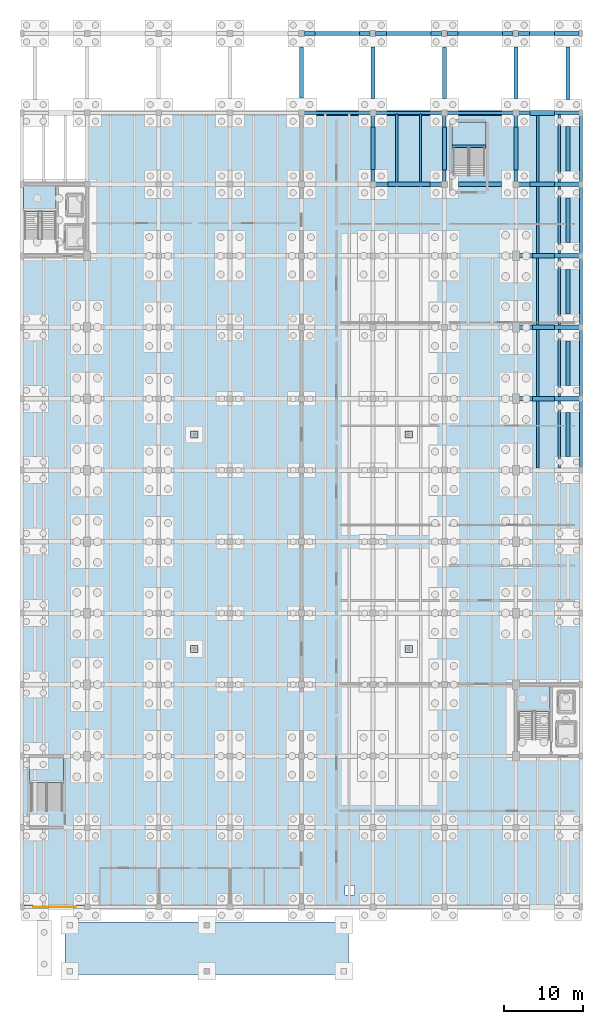
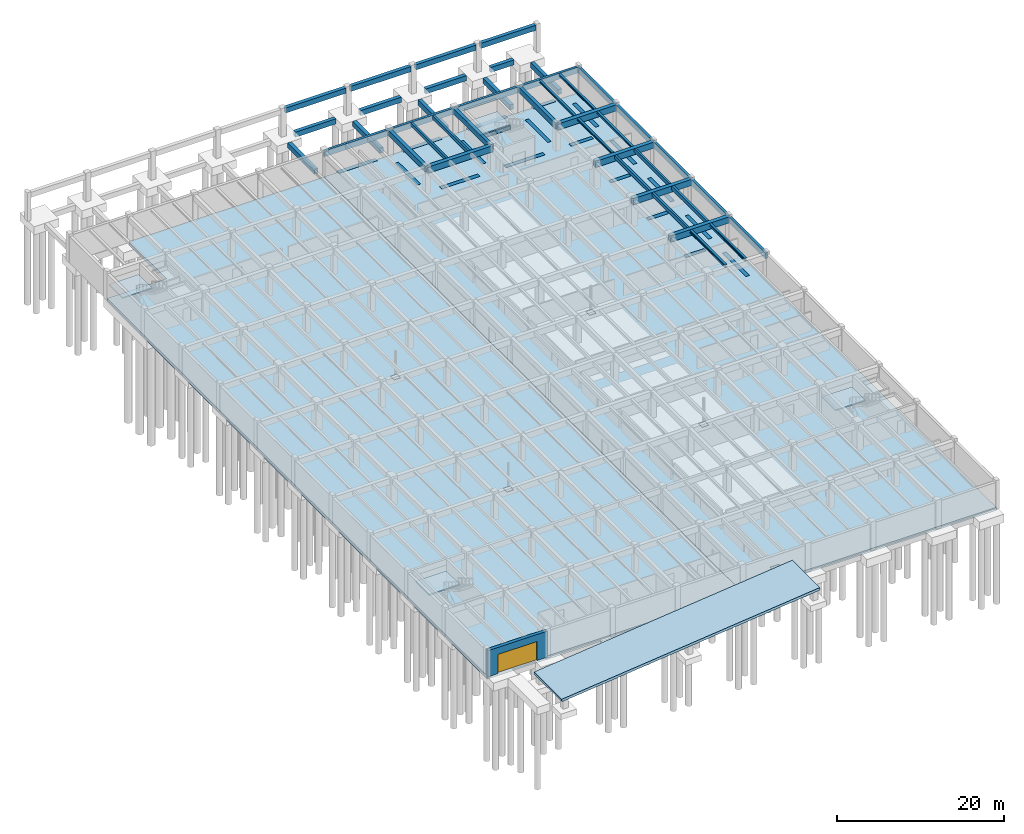
# One storey, part 16 of 23: 61 beams, 7 slabs, 4 plates, 1 door, 1 wall, 1 opening, 4 elements without a shape of their own.
"""IFC4 building model written with IfcOpenShell, lengths in metres."""

from ifc_helpers import new_model, si_unit, direction, frame, frame_2d, origin, origin_2d, place, context, subcontext, project, spatial, polyline, rectangle, i_section, outline, extrude, material, layer, layer_set, material_profile, profile_set, type_object, element, fill, aggregate, save


model = new_model("IFC4")

# Units and contexts
model_context = context("Model", 3, precision=1e-05, world=origin(), true_north=direction((0.0, 1.0)))
body_context = subcontext(model_context, "Body", "Model", "MODEL_VIEW")
ifc_project = project(units=[si_unit("LENGTHUNIT", "METRE"), si_unit("AREAUNIT", "SQUARE_METRE"), si_unit("VOLUMEUNIT", "CUBIC_METRE"), si_unit("PLANEANGLEUNIT", "RADIAN"), si_unit("MASSUNIT", "GRAM", prefix="KILO")], contexts=[model_context])

# Site, building, storey
site_placement = place(None, origin())
site = spatial("IfcSite", under=ifc_project, at=site_placement, CompositionType="ELEMENT")
building_placement = place(site_placement, origin())
building = spatial("IfcBuilding", under=site, at=building_placement, Name="Ornek Quay Market", CompositionType="ELEMENT")
storey_placement = place(building_placement, frame((0.0, 0.0, -4.199951171875)))
storey = spatial("IfcBuildingStorey", under=building, at=storey_placement, Name="B1", CompositionType="ELEMENT", Elevation=-4.199951171875)

# Beams
ifc_material_1 = material(Name="Concrete C35/45", Category="concrete")
ifc_material_profile_1 = material_profile(ifc_material_1, rectangle(XDim=0.449951171875, YDim=0.800048828125, at=origin_2d()), Name="RC 450x800", Category="concrete")
ifc_profile_set_1 = profile_set([ifc_material_profile_1], Name="Concrete C35/45")
beam_type_1 = type_object("IfcBeamType", Name="BM-B1-450x800", PredefinedType="BEAM", material=ifc_profile_set_1)
for number, where, z_axis, x_axis, name in (
    (1, (99.0, 101.0, 3.4599609375), (0.0, 1.0, 0.0), (-1.0, 0.0, 0.0), "Primary beam B-B1B-059"),
    (2, (108.0, 101.0, 3.4599609375), (0.0, 1.0, 0.0), (-1.0, 0.0, 0.0), "Primary beam B-B1B-068"),
    (3, (117.0, 101.0, 3.4599609375), (0.0, 1.0, 0.0), (-1.0, 0.0, 0.0), "Primary beam B-B1B-077"),
):
    element("IfcBeam", number, at=place(storey_placement, frame(where, z_axis=z_axis, x_axis=x_axis)), inside=storey, type_object=beam_type_1, Name=name, PredefinedType="BEAM", context=body_context, shape_type="SweptSolid", body=[
        extrude(rectangle(XDim=0.449951171875, YDim=0.800048828125, at=origin_2d()), origin(), (0.0, 0.0, 1.0), 9.0),
    ])
ifc_material_2 = material(Name="Concrete C40/50", Category="concrete")
ifc_material_profile_2 = material_profile(ifc_material_2, rectangle(XDim=0.550048828125, YDim=0.89990234375, at=origin_2d()), Name="RC 550x900", Category="concrete")
ifc_profile_set_2 = profile_set([ifc_material_profile_2], Name="Concrete C40/50")
beam_type_2 = type_object("IfcBeamType", Name="BM-B1-550x900", PredefinedType="BEAM", material=ifc_profile_set_2)
for number, where, z_axis, x_axis, name in (
    (4, (117.0, 74.0, 3.409912109375), (1.0, 0.0, 0.0), (0.0, 1.0, 0.0), "Primary beam B-B1A-048"),
    (5, (117.0, 83.0, 3.409912109375), (1.0, 0.0, 0.0), (0.0, 1.0, 0.0), "Primary beam B-B1A-056"),
    (6, (117.0, 92.0, 3.409912109375), (1.0, 0.0, 0.0), (0.0, 1.0, 0.0), "Primary beam B-B1A-064"),
):
    element("IfcBeam", number, at=place(storey_placement, frame(where, z_axis=z_axis, x_axis=x_axis)), inside=storey, type_object=beam_type_2, Name=name, PredefinedType="BEAM", context=body_context, shape_type="SweptSolid", body=[
        extrude(rectangle(XDim=0.550048828125, YDim=0.89990234375, at=origin_2d()), origin(), (0.0, 0.0, 1.0), 8.199951171875),
    ])
beam_1_placement = place(storey_placement, frame((99.0, 101.0, 3.409912109375), z_axis=(1.0, 0.0, 0.0), x_axis=(0.0, 1.0, 0.0)))
element("IfcBeam", 7, at=beam_1_placement, inside=storey, type_object=beam_type_2, Name="Primary beam B-B1A-070", PredefinedType="BEAM", context=body_context, shape_type="SweptSolid", body=[
    extrude(rectangle(XDim=0.550048828125, YDim=0.89990234375, at=origin_2d()), origin(), (0.0, 0.0, 1.0), 9.0),
])
beam_2_placement = place(storey_placement, frame((117.0, 101.0, 3.409912109375), z_axis=(1.0, 0.0, 0.0), x_axis=(0.0, 1.0, 0.0)))
element("IfcBeam", 8, at=beam_2_placement, inside=storey, type_object=beam_type_2, Name="Primary beam B-B1A-071", PredefinedType="BEAM", context=body_context, shape_type="SweptSolid", body=[
    extrude(rectangle(XDim=0.550048828125, YDim=0.89990234375, at=origin_2d()), origin(), (0.0, 0.0, 1.0), 8.199951171875),
])
ifc_material_profile_3 = material_profile(ifc_material_1, rectangle(XDim=0.5, YDim=0.75, at=origin_2d()), Name="RC 500x750", Category="concrete")
ifc_profile_set_3 = profile_set([ifc_material_profile_3], Name="Concrete C35/45")
beam_type_3 = type_object("IfcBeamType", Name="BM-GB-500x750", PredefinedType="BEAM", material=ifc_profile_set_3)
for number, where, z_axis, x_axis, name in (
    (9, (91.699951171875, 120.0, -0.375), (1.0, 0.0, 0.0), (0.0, 1.0, 0.0), "Ground tie beam GB-206"),
    (10, (100.699951171875, 120.0, -0.375), (1.0, 0.0, 0.0), (0.0, 1.0, 0.0), "Ground tie beam GB-207"),
    (11, (109.699951171875, 120.0, -0.375), (1.0, 0.0, 0.0), (0.0, 1.0, 0.0), "Ground tie beam GB-208"),
):
    element("IfcBeam", number, at=place(storey_placement, frame(where, z_axis=z_axis, x_axis=x_axis)), inside=storey, type_object=beam_type_3, Name=name, PredefinedType="BEAM", context=body_context, shape_type="SweptSolid", body=[
        extrude(rectangle(XDim=0.5, YDim=0.75, at=origin_2d()), origin(), (0.0, 0.0, 1.0), 5.60009765625),
    ])
beam_3_placement = place(storey_placement, frame((118.699951171875, 120.0, -0.375), z_axis=(1.0, 0.0, 0.0), x_axis=(0.0, 1.0, 0.0)))
element("IfcBeam", 12, at=beam_3_placement, inside=storey, type_object=beam_type_3, Name="Ground tie beam GB-209", PredefinedType="BEAM", context=body_context, shape_type="SweptSolid", body=[
    extrude(rectangle(XDim=0.5, YDim=0.75, at=origin_2d()), origin(), (0.0, 0.0, 1.0), 3.179931640625),
])
beam_4_placement = place(storey_placement, frame((90.0, 111.89990234375, -0.375), z_axis=(0.0, 1.0, 0.0), x_axis=(-1.0, 0.0, 0.0)))
element("IfcBeam", 13, at=beam_4_placement, inside=storey, type_object=beam_type_3, Name="Ground tie beam GB-263", PredefinedType="BEAM", context=body_context, shape_type="SweptSolid", body=[
    extrude(rectangle(XDim=0.5, YDim=0.75, at=origin_2d()), origin(), (0.0, 0.0, 1.0), 6.400146484375),
])
beam_5_placement = place(storey_placement, frame((99.0, 102.89990234375, -0.375), z_axis=(0.0, 1.0, 0.0), x_axis=(-1.0, 0.0, 0.0)))
element("IfcBeam", 14, at=beam_5_placement, inside=storey, type_object=beam_type_3, Name="Ground tie beam GB-274", PredefinedType="BEAM", context=body_context, shape_type="SweptSolid", body=[
    extrude(rectangle(XDim=0.5, YDim=0.75, at=origin_2d()), origin(), (0.0, 0.0, 1.0), 5.300048828125),
])
beam_6_placement = place(storey_placement, frame((99.0, 111.800048828125, -0.375), z_axis=(0.0, 1.0, 0.0), x_axis=(-1.0, 0.0, 0.0)))
element("IfcBeam", 15, at=beam_6_placement, inside=storey, type_object=beam_type_3, Name="Ground tie beam GB-275", PredefinedType="BEAM", context=body_context, shape_type="SweptSolid", body=[
    extrude(rectangle(XDim=0.5, YDim=0.75, at=origin_2d()), origin(), (0.0, 0.0, 1.0), 6.5),
])
beam_7_placement = place(storey_placement, frame((108.0, 102.800048828125, -0.375), z_axis=(0.0, 1.0, 0.0), x_axis=(-1.0, 0.0, 0.0)))
element("IfcBeam", 16, at=beam_7_placement, inside=storey, type_object=beam_type_3, Name="Ground tie beam GB-286", PredefinedType="BEAM", context=body_context, shape_type="SweptSolid", body=[
    extrude(rectangle(XDim=0.5, YDim=0.75, at=origin_2d()), origin(), (0.0, 0.0, 1.0), 5.39990234375),
])
beam_8_placement = place(storey_placement, frame((108.0, 111.800048828125, -0.375), z_axis=(0.0, 1.0, 0.0), x_axis=(-1.0, 0.0, 0.0)))
element("IfcBeam", 17, at=beam_8_placement, inside=storey, type_object=beam_type_3, Name="Ground tie beam GB-287", PredefinedType="BEAM", context=body_context, shape_type="SweptSolid", body=[
    extrude(rectangle(XDim=0.5, YDim=0.75, at=origin_2d()), origin(), (0.0, 0.0, 1.0), 6.5),
])
beam_9_placement = place(storey_placement, frame((117.0, 102.800048828125, -0.375), z_axis=(0.0, 1.0, 0.0), x_axis=(-1.0, 0.0, 0.0)))
element("IfcBeam", 18, at=beam_9_placement, inside=storey, type_object=beam_type_3, Name="Ground tie beam GB-295", PredefinedType="BEAM", context=body_context, shape_type="SweptSolid", body=[
    extrude(rectangle(XDim=0.5, YDim=0.75, at=origin_2d()), origin(), (0.0, 0.0, 1.0), 5.39990234375),
])
beam_10_placement = place(storey_placement, frame((117.0, 111.800048828125, -0.375), z_axis=(0.0, 1.0, 0.0), x_axis=(-1.0, 0.0, 0.0)))
element("IfcBeam", 19, at=beam_10_placement, inside=storey, type_object=beam_type_3, Name="Ground tie beam GB-296", PredefinedType="BEAM", context=body_context, shape_type="SweptSolid", body=[
    extrude(rectangle(XDim=0.5, YDim=0.75, at=origin_2d()), origin(), (0.0, 0.0, 1.0), 6.5),
])
for number, where, z_axis, x_axis, name in (
    (20, (123.580078125, 66.699951171875, -0.375), (0.0, 1.0, 0.0), (-1.0, 0.0, 0.0), "Ground tie beam GB-300"),
    (21, (123.580078125, 75.699951171875, -0.375), (0.0, 1.0, 0.0), (-1.0, 0.0, 0.0), "Ground tie beam GB-301"),
    (22, (123.580078125, 84.699951171875, -0.375), (0.0, 1.0, 0.0), (-1.0, 0.0, 0.0), "Ground tie beam GB-302"),
    (23, (123.580078125, 93.699951171875, -0.375), (0.0, 1.0, 0.0), (-1.0, 0.0, 0.0), "Ground tie beam GB-303"),
    (24, (123.580078125, 102.699951171875, -0.375), (0.0, 1.0, 0.0), (-1.0, 0.0, 0.0), "Ground tie beam GB-304"),
):
    element("IfcBeam", number, at=place(storey_placement, frame(where, z_axis=z_axis, x_axis=x_axis)), inside=storey, type_object=beam_type_3, Name=name, PredefinedType="BEAM", context=body_context, shape_type="SweptSolid", body=[
        extrude(rectangle(XDim=0.5, YDim=0.75, at=origin_2d()), origin(), (0.0, 0.0, 1.0), 5.60009765625),
    ])
beam_11_placement = place(storey_placement, frame((123.580078125, 111.699951171875, -0.375), z_axis=(0.0, 1.0, 0.0), x_axis=(-1.0, 0.0, 0.0)))
element("IfcBeam", 25, at=beam_11_placement, inside=storey, type_object=beam_type_3, Name="Ground tie beam GB-305", PredefinedType="BEAM", context=body_context, shape_type="SweptSolid", body=[
    extrude(rectangle(XDim=0.5, YDim=0.75, at=origin_2d()), origin(), (0.0, 0.0, 1.0), 6.60009765625),
])
for number, where, z_axis, x_axis, name in (
    (26, (90.35009765625, 120.0, 3.625), (1.0, 0.0, 0.0), (0.0, 1.0, 0.0), "Quay edge grade beam GB-430"),
    (27, (99.35009765625, 120.0, 3.625), (1.0, 0.0, 0.0), (0.0, 1.0, 0.0), "Quay edge grade beam GB-431"),
    (28, (108.35009765625, 120.0, 3.625), (1.0, 0.0, 0.0), (0.0, 1.0, 0.0), "Quay edge grade beam GB-432"),
):
    element("IfcBeam", number, at=place(storey_placement, frame(where, z_axis=z_axis, x_axis=x_axis)), inside=storey, type_object=beam_type_3, Name=name, PredefinedType="BEAM", context=body_context, shape_type="SweptSolid", body=[
        extrude(rectangle(XDim=0.5, YDim=0.75, at=origin_2d()), origin(), (0.0, 0.0, 1.0), 8.2998046875),
    ])
beam_12_placement = place(storey_placement, frame((117.35009765625, 120.0, 3.625), z_axis=(1.0, 0.0, 0.0), x_axis=(0.0, 1.0, 0.0)))
element("IfcBeam", 29, at=beam_12_placement, inside=storey, type_object=beam_type_3, Name="Quay edge grade beam GB-433", PredefinedType="BEAM", context=body_context, shape_type="SweptSolid", body=[
    extrude(rectangle(XDim=0.5, YDim=0.75, at=origin_2d()), origin(), (0.0, 0.0, 1.0), 7.599853515625),
])
ifc_material_profile_4 = material_profile(ifc_material_1, rectangle(XDim=0.550048828125, YDim=0.85009765625, at=origin_2d()), Name="RC 550x850", Category="concrete")
ifc_profile_set_4 = profile_set([ifc_material_profile_4], Name="Concrete C35/45")
beam_type_4 = type_object("IfcBeamType", Name="BM-GB-550x850", PredefinedType="BEAM", material=ifc_profile_set_4)
for number, where, z_axis, x_axis, name in (
    (30, (119.10009765625, 74.0, -0.425048828125), (1.0, 0.0, 0.0), (0.0, 1.0, 0.0), "Ground tie beam GB-173"),
    (31, (119.10009765625, 83.0, -0.425048828125), (1.0, 0.0, 0.0), (0.0, 1.0, 0.0), "Ground tie beam GB-181"),
    (32, (119.10009765625, 92.0, -0.425048828125), (1.0, 0.0, 0.0), (0.0, 1.0, 0.0), "Ground tie beam GB-187"),
):
    element("IfcBeam", number, at=place(storey_placement, frame(where, z_axis=z_axis, x_axis=x_axis)), inside=storey, type_object=beam_type_4, Name=name, PredefinedType="BEAM", context=body_context, shape_type="SweptSolid", body=[
        extrude(rectangle(XDim=0.550048828125, YDim=0.85009765625, at=origin_2d()), origin(), (0.0, 0.0, 1.0), 2.77978515625),
    ])
beam_13_placement = place(storey_placement, frame((100.89990234375, 101.0, -0.425048828125), z_axis=(1.0, 0.0, 0.0), x_axis=(0.0, 1.0, 0.0)))
element("IfcBeam", 33, at=beam_13_placement, inside=storey, type_object=beam_type_4, Name="Ground tie beam GB-191", PredefinedType="BEAM", context=body_context, shape_type="SweptSolid", body=[
    extrude(rectangle(XDim=0.550048828125, YDim=0.85009765625, at=origin_2d()), origin(), (0.0, 0.0, 1.0), 5.300048828125),
])
beam_14_placement = place(storey_placement, frame((109.800048828125, 101.0, -0.425048828125), z_axis=(1.0, 0.0, 0.0), x_axis=(0.0, 1.0, 0.0)))
element("IfcBeam", 34, at=beam_14_placement, inside=storey, type_object=beam_type_4, Name="Ground tie beam GB-192", PredefinedType="BEAM", context=body_context, shape_type="SweptSolid", body=[
    extrude(rectangle(XDim=0.550048828125, YDim=0.85009765625, at=origin_2d()), origin(), (0.0, 0.0, 1.0), 5.39990234375),
])
beam_15_placement = place(storey_placement, frame((118.800048828125, 101.0, -0.425048828125), z_axis=(1.0, 0.0, 0.0), x_axis=(0.0, 1.0, 0.0)))
element("IfcBeam", 35, at=beam_15_placement, inside=storey, type_object=beam_type_4, Name="Ground tie beam GB-193", PredefinedType="BEAM", context=body_context, shape_type="SweptSolid", body=[
    extrude(rectangle(XDim=0.550048828125, YDim=0.85009765625, at=origin_2d()), origin(), (0.0, 0.0, 1.0), 3.079833984375),
])
ifc_material_profile_5 = material_profile(ifc_material_1, rectangle(XDim=0.60009765625, YDim=0.949951171875, at=origin_2d()), Name="RC 600x950", Category="concrete")
ifc_profile_set_5 = profile_set([ifc_material_profile_5], Name="Concrete C35/45")
beam_type_5 = type_object("IfcBeamType", Name="BM-GB-600x950", PredefinedType="BEAM", material=ifc_profile_set_5)
beam_16_placement = place(storey_placement, frame((91.89990234375, 110.0, -0.47509765625), z_axis=(1.0, 0.0, 0.0), x_axis=(0.0, 1.0, 0.0)))
element("IfcBeam", 36, at=beam_16_placement, inside=storey, type_object=beam_type_5, Name="Ground tie beam GB-198", PredefinedType="BEAM", context=body_context, shape_type="SweptSolid", body=[
    extrude(rectangle(XDim=0.60009765625, YDim=0.949951171875, at=origin_2d()), origin(), (0.0, 0.0, 1.0), 5.300048828125),
])
for number, where, z_axis, x_axis, name in (
    (37, (100.800048828125, 110.0, -0.47509765625), (1.0, 0.0, 0.0), (0.0, 1.0, 0.0), "Ground tie beam GB-199"),
    (38, (109.800048828125, 110.0, -0.47509765625), (1.0, 0.0, 0.0), (0.0, 1.0, 0.0), "Ground tie beam GB-200"),
):
    element("IfcBeam", number, at=place(storey_placement, frame(where, z_axis=z_axis, x_axis=x_axis)), inside=storey, type_object=beam_type_5, Name=name, PredefinedType="BEAM", context=body_context, shape_type="SweptSolid", body=[
        extrude(rectangle(XDim=0.60009765625, YDim=0.949951171875, at=origin_2d()), origin(), (0.0, 0.0, 1.0), 5.39990234375),
    ])
beam_17_placement = place(storey_placement, frame((118.800048828125, 110.0, -0.47509765625), z_axis=(1.0, 0.0, 0.0), x_axis=(0.0, 1.0, 0.0)))
element("IfcBeam", 39, at=beam_17_placement, inside=storey, type_object=beam_type_5, Name="Ground tie beam GB-201", PredefinedType="BEAM", context=body_context, shape_type="SweptSolid", body=[
    extrude(rectangle(XDim=0.60009765625, YDim=0.949951171875, at=origin_2d()), origin(), (0.0, 0.0, 1.0), 3.079833984375),
])
ifc_material_profile_6 = material_profile(ifc_material_1, rectangle(XDim=0.280029296875, YDim=0.5, at=origin_2d()), Name="RC 280x500", Category="concrete")
ifc_profile_set_6 = profile_set([ifc_material_profile_6], Name="Concrete C35/45")
beam_type_6 = type_object("IfcBeamType", Name="BM-SEC-280x500", PredefinedType="JOIST", material=ifc_profile_set_6)
for number, where, z_axis, x_axis, name in (
    (40, (102.0, 101.26708984375, 3.60986328125), (0.0, 1.0, 0.0), (-1.0, 0.0, 0.0), "Secondary joist B-SC2-015"),
    (41, (105.0, 101.26708984375, 3.60986328125), (0.0, 1.0, 0.0), (-1.0, 0.0, 0.0), "Secondary joist B-SC2-016"),
):
    element("IfcBeam", number, at=place(storey_placement, frame(where, z_axis=z_axis, x_axis=x_axis)), inside=storey, type_object=beam_type_6, Name=name, PredefinedType="JOIST", context=body_context, shape_type="SweptSolid", body=[
        extrude(rectangle(XDim=0.280029296875, YDim=0.5, at=origin_2d()), origin(), (0.0, 0.0, 1.0), 8.56591796875),
    ])
for number, where, z_axis, x_axis, name in (
    (42, (119.7333984375, 83.26708984375, 3.60986328125), (0.0, 1.0, 0.0), (-1.0, 0.0, 0.0), "Secondary joist B-SC2-019"),
    (43, (122.466796875, 83.26708984375, 3.60986328125), (0.0, 1.0, 0.0), (-1.0, 0.0, 0.0), "Secondary joist B-SC2-020"),
):
    element("IfcBeam", number, at=place(storey_placement, frame(where, z_axis=z_axis, x_axis=x_axis)), inside=storey, type_object=beam_type_6, Name=name, PredefinedType="JOIST", context=body_context, shape_type="SweptSolid", body=[
        extrude(rectangle(XDim=0.280029296875, YDim=0.5, at=origin_2d()), origin(), (0.0, 0.0, 1.0), 8.4658203125),
    ])
beam_18_placement = place(storey_placement, frame((108.949951171875, 105.7919921875, 1.68505859375), z_axis=(1.0, 0.0, 0.0), x_axis=(0.0, 1.0, 0.0)))
element("IfcBeam", 44, at=beam_18_placement, inside=storey, type_object=beam_type_6, Name="Stair landing beam BL-29", PredefinedType="JOIST", context=body_context, shape_type="SweptSolid", body=[
    extrude(rectangle(XDim=0.280029296875, YDim=0.5, at=origin_2d()), origin(), (0.0, 0.0, 1.0), 4.300048828125),
])
ifc_material_profile_7 = material_profile(ifc_material_1, rectangle(XDim=0.300048828125, YDim=0.550048828125, at=origin_2d()), Name="RC 300x550", Category="concrete")
ifc_profile_set_7 = profile_set([ifc_material_profile_7], Name="Concrete C35/45")
beam_type_7 = type_object("IfcBeamType", Name="BM-SEC-300x550", PredefinedType="JOIST", material=ifc_profile_set_7)
for number, where, z_axis, x_axis, name in (
    (45, (119.7333984375, 74.26708984375, 3.5849609375), (0.0, 1.0, 0.0), (-1.0, 0.0, 0.0), "Secondary joist B-SC1-031"),
    (46, (122.466796875, 74.26708984375, 3.5849609375), (0.0, 1.0, 0.0), (-1.0, 0.0, 0.0), "Secondary joist B-SC1-032"),
):
    element("IfcBeam", number, at=place(storey_placement, frame(where, z_axis=z_axis, x_axis=x_axis)), inside=storey, type_object=beam_type_7, Name=name, PredefinedType="JOIST", context=body_context, shape_type="SweptSolid", body=[
        extrude(rectangle(XDim=0.300048828125, YDim=0.550048828125, at=origin_2d()), origin(), (0.0, 0.0, 1.0), 8.4658203125),
    ])
ifc_material_profile_8 = material_profile(ifc_material_2, rectangle(XDim=0.35009765625, YDim=0.85009765625, at=origin_2d()), Name="RC 350x850", Category="concrete")
ifc_profile_set_8 = profile_set([ifc_material_profile_8], Name="Concrete C40/50")
beam_type_8 = type_object("IfcBeamType", Name="BM-SPN-350x850", PredefinedType="SPANDREL", material=ifc_profile_set_8)
for number, where, z_axis, x_axis, name in (
    (47, (90.0, 110.0, 3.43505859375), (1.0, 0.0, 0.0), (0.0, 1.0, 0.0), "Primary beam B-SP1-025"),
    (48, (99.0, 110.0, 3.43505859375), (1.0, 0.0, 0.0), (0.0, 1.0, 0.0), "Primary beam B-SP1-026"),
    (49, (108.0, 110.0, 3.43505859375), (1.0, 0.0, 0.0), (0.0, 1.0, 0.0), "Primary beam B-SP1-027"),
):
    element("IfcBeam", number, at=place(storey_placement, frame(where, z_axis=z_axis, x_axis=x_axis)), inside=storey, type_object=beam_type_8, Name=name, PredefinedType="SPANDREL", context=body_context, shape_type="SweptSolid", body=[
        extrude(rectangle(XDim=0.35009765625, YDim=0.85009765625, at=origin_2d()), origin(), (0.0, 0.0, 1.0), 9.0),
    ])
beam_19_placement = place(storey_placement, frame((117.0, 110.0, 3.43505859375), z_axis=(1.0, 0.0, 0.0), x_axis=(0.0, 1.0, 0.0)))
element("IfcBeam", 50, at=beam_19_placement, inside=storey, type_object=beam_type_8, Name="Primary beam B-SP1-028", PredefinedType="SPANDREL", context=body_context, shape_type="SweptSolid", body=[
    extrude(rectangle(XDim=0.35009765625, YDim=0.85009765625, at=origin_2d()), origin(), (0.0, 0.0, 1.0), 8.199951171875),
])
for number, where, z_axis, x_axis, name in (
    (51, (125.199951171875, 65.0, 3.43505859375), (0.0, 1.0, 0.0), (-1.0, 0.0, 0.0), "Primary beam B-SP1-042"),
    (52, (125.199951171875, 74.0, 3.43505859375), (0.0, 1.0, 0.0), (-1.0, 0.0, 0.0), "Primary beam B-SP1-043"),
    (53, (125.199951171875, 83.0, 3.43505859375), (0.0, 1.0, 0.0), (-1.0, 0.0, 0.0), "Primary beam B-SP1-044"),
    (54, (125.199951171875, 92.0, 3.43505859375), (0.0, 1.0, 0.0), (-1.0, 0.0, 0.0), "Primary beam B-SP1-045"),
    (55, (125.199951171875, 101.0, 3.43505859375), (0.0, 1.0, 0.0), (-1.0, 0.0, 0.0), "Primary beam B-SP1-046"),
):
    element("IfcBeam", number, at=place(storey_placement, frame(where, z_axis=z_axis, x_axis=x_axis)), inside=storey, type_object=beam_type_8, Name=name, PredefinedType="SPANDREL", context=body_context, shape_type="SweptSolid", body=[
        extrude(rectangle(XDim=0.35009765625, YDim=0.85009765625, at=origin_2d()), origin(), (0.0, 0.0, 1.0), 9.0),
    ])
ifc_material_3 = material(Name="Steel S355", Category="steel")
ifc_material_profile_9 = material_profile(ifc_material_3, i_section(OverallWidth=0.300048828125, OverallDepth=0.2900390625, WebThickness=0.008544921875, FlangeThickness=0.013916015625, FilletRadius=0.027099609375, at=origin_2d()), Name="HEA 300", Category="steel")
ifc_profile_set_9 = profile_set([ifc_material_profile_9], Name="Steel S355")
beam_type_9 = type_object("IfcBeamType", Name="BM-STL-HEA300", PredefinedType="BEAM", material=ifc_profile_set_9)
for number, where, z_axis, x_axis, name in (
    (56, (119.7333984375, 92.26708984375, 3.71484375), (0.0, 1.0, 0.0), (-1.0, 0.0, 0.0), "Secondary joist SB-17-023"),
    (57, (122.466796875, 92.26708984375, 3.71484375), (0.0, 1.0, 0.0), (-1.0, 0.0, 0.0), "Secondary joist SB-17-024"),
):
    element("IfcBeam", number, at=place(storey_placement, frame(where, z_axis=z_axis, x_axis=x_axis)), inside=storey, type_object=beam_type_9, Name=name, PredefinedType="BEAM", context=body_context, shape_type="SweptSolid", body=[
        extrude(i_section(OverallWidth=0.300048828125, OverallDepth=0.2900390625, WebThickness=0.008544921875, FlangeThickness=0.013916015625, FilletRadius=0.027099609375, at=origin_2d()), origin(), (0.0, 0.0, 1.0), 8.4658203125),
    ])
ifc_material_profile_10 = material_profile(ifc_material_3, i_section(OverallWidth=0.300048828125, OverallDepth=0.31005859375, WebThickness=0.009033203125, FlangeThickness=0.015380859375, FilletRadius=0.027099609375, at=origin_2d()), Name="HEA 320", Category="steel")
ifc_profile_set_10 = profile_set([ifc_material_profile_10], Name="Steel S355")
beam_type_10 = type_object("IfcBeamType", Name="BM-STL-HEA320", PredefinedType="BEAM", material=ifc_profile_set_10)
for number, where, z_axis, x_axis, name in (
    (58, (119.7333984375, 101.26708984375, 3.704833984375), (0.0, 1.0, 0.0), (-1.0, 0.0, 0.0), "Secondary joist SB-18-023"),
    (59, (122.466796875, 101.26708984375, 3.704833984375), (0.0, 1.0, 0.0), (-1.0, 0.0, 0.0), "Secondary joist SB-18-024"),
):
    element("IfcBeam", number, at=place(storey_placement, frame(where, z_axis=z_axis, x_axis=x_axis)), inside=storey, type_object=beam_type_10, Name=name, PredefinedType="BEAM", context=body_context, shape_type="SweptSolid", body=[
        extrude(i_section(OverallWidth=0.300048828125, OverallDepth=0.31005859375, WebThickness=0.009033203125, FlangeThickness=0.015380859375, FilletRadius=0.027099609375, at=origin_2d()), origin(), (0.0, 0.0, 1.0), 8.56591796875),
    ])
ifc_material_profile_11 = material_profile(ifc_material_3, i_section(OverallWidth=0.300048828125, OverallDepth=0.389892578125, WebThickness=0.010986328125, FlangeThickness=0.01904296875, FilletRadius=0.027099609375, at=origin_2d()), Name="HEA 400", Category="steel")
ifc_profile_set_11 = profile_set([ifc_material_profile_11], Name="Steel S355")
beam_type_11 = type_object("IfcBeamType", Name="BM-STL-HEA400", PredefinedType="BEAM", material=ifc_profile_set_11)
for number, where, z_axis, x_axis, name in (
    (60, (119.7333984375, 65.26708984375, 3.6650390625), (0.0, 1.0, 0.0), (-1.0, 0.0, 0.0), "Secondary joist SB-20-021"),
    (61, (122.466796875, 65.26708984375, 3.6650390625), (0.0, 1.0, 0.0), (-1.0, 0.0, 0.0), "Secondary joist SB-20-022"),
):
    element("IfcBeam", number, at=place(storey_placement, frame(where, z_axis=z_axis, x_axis=x_axis)), inside=storey, type_object=beam_type_11, Name=name, PredefinedType="BEAM", context=body_context, shape_type="SweptSolid", body=[
        extrude(i_section(OverallWidth=0.300048828125, OverallDepth=0.389892578125, WebThickness=0.010986328125, FlangeThickness=0.01904296875, FilletRadius=0.027099609375, at=origin_2d()), origin(), (0.0, 0.0, 1.0), 8.4658203125),
    ])

# Plates
ifc_layer_1 = layer(ifc_material_3, 0.89990234375, Name="Steel S355", Category="steel")
ifc_layer_set_1 = layer_set([ifc_layer_1], Name="Steel S355")
plate_type = type_object("IfcPlateType", Name="PL-BASE-900x900x40", PredefinedType="SHEET", material=ifc_layer_set_1)
for number, where, z_axis, x_axis, name in (
    (62, (76.5, 42.5, -0.0400390625), (0.0, 0.0, 1.0), (1.0, 0.0, 0.0), "Column base plate BP-01"),
    (63, (76.5, 69.5, -0.0400390625), (0.0, 0.0, 1.0), (1.0, 0.0, 0.0), "Column base plate BP-02"),
    (64, (103.5, 42.5, -0.0400390625), (0.0, 0.0, 1.0), (1.0, 0.0, 0.0), "Column base plate BP-03"),
    (65, (103.5, 69.5, -0.0400390625), (0.0, 0.0, 1.0), (1.0, 0.0, 0.0), "Column base plate BP-04"),
):
    element("IfcPlate", number, at=place(storey_placement, frame(where, z_axis=z_axis, x_axis=x_axis)), inside=storey, type_object=plate_type, Name=name, PredefinedType="SHEET", context=body_context, shape_type="SweptSolid", body=[
        extrude(rectangle(XDim=0.89990234375, YDim=0.89990234375, at=origin_2d()), origin(), (0.0, 0.0, 1.0), 0.0400390625),
    ])

# Slabs
ifc_layer_2 = layer(ifc_material_1, 0.5, Name="Concrete C35/45", Category="concrete")
ifc_layer_set_2 = layer_set([ifc_layer_2], Name="Concrete C35/45")
slab_type_1 = type_object("IfcSlabType", Name="SL-BASE-B1-500", PredefinedType="BASESLAB", material=ifc_layer_set_2)
slab_1_placement = place(storey_placement, frame((0.0, 0.0, -0.5)))
element("IfcSlab", 66, at=slab_1_placement, inside=storey, type_object=slab_type_1, Name="Slab S-001 (B1)", PredefinedType="BASESLAB", context=body_context, shape_type="SweptSolid", body=[
    extrude(outline(polyline([(54.800048828125, 10.0), (90.0, 10.0), (90.0, 110.0), (63.0, 110.0), (63.0, 101.0), (54.800048828125, 101.0), (54.800048828125, 10.0)])), origin(), (0.0, 0.0, 1.0), 0.5),
])
ifc_layer_3 = layer(ifc_material_1, 0.4599609375, Name="Concrete C35/45", Category="concrete")
ifc_layer_set_3 = layer_set([ifc_layer_3], Name="Concrete C35/45")
slab_type_2 = type_object("IfcSlabType", Name="SL-BASE-COLD-460", PredefinedType="BASESLAB", material=ifc_layer_set_3)
slab_2_placement = place(storey_placement, frame((0.0, 0.0, -0.4599609375)))
element("IfcSlab", 67, at=slab_2_placement, inside=storey, type_object=slab_type_2, Name="Slab S-002 (B1)", PredefinedType="BASESLAB", context=body_context, shape_type="SweptSolid", body=[
    extrude(outline(polyline([(90.0, 10.0), (125.199951171875, 10.0), (125.199951171875, 110.0), (90.0, 110.0), (90.0, 10.0)]), holes=[polyline([(95.5, 12.699951171875), (96.699951171875, 12.699951171875), (96.699951171875, 11.5), (95.5, 11.5), (95.5, 12.699951171875)])]), origin(), (0.0, 0.0, 1.0), 0.4599609375),
])
ifc_layer_4 = layer(ifc_material_2, 0.3798828125, Name="Concrete C40/50", Category="concrete")
ifc_layer_set_4 = layer_set([ifc_layer_4], Name="Concrete C40/50")
slab_type_3 = type_object("IfcSlabType", Name="SL-FLR-LOAD-380", PredefinedType="FLOOR", material=ifc_layer_set_4)
slab_3_placement = place(storey_placement, frame((60.199951171875, 1.5, -0.16015625), z_axis=(-0.106948695912, 0.0, 0.994264540473), x_axis=(0.994264540473, 0.0, 0.106948695912)))
element("IfcSlab", 68, at=slab_3_placement, inside=storey, type_object=slab_type_3, Name="Vehicle service ramp structural slab RMP-V1", PredefinedType="FLOOR", context=body_context, shape_type="SweptSolid", body=[
    extrude(outline(polyline([(0.0, 0.0), (35.90588793891587, 0.0), (35.90588793891587, 6.600097656249999), (0.0, 6.600097656249999), (0.0, 0.0)])), origin(), (0.0, 0.0, -1.0), 0.3798828125),
])

# Stair, slab
ifc_material_4 = material(Name="Precast concrete C40/50", Category="concrete")
stair_type = type_object("IfcStairType", Name="ST-CORE-B1-L00", PredefinedType="HALF_TURN_STAIR", material=ifc_material_4)
stair_1_placement = place(storey_placement, origin())
stair_1 = element("IfcStair", 69, at=stair_1_placement, inside=storey, type_object=stair_type, Name="Core stair ST-03-B1 (B1 to L00)", PredefinedType="HALF_TURN_STAIR")
ifc_layer_5 = layer(ifc_material_4, 0.1650390625, Name="Precast concrete C40/50", Category="concrete")
ifc_layer_set_5 = layer_set([ifc_layer_5], Name="Precast concrete C40/50")
slab_type_4 = type_object("IfcSlabType", Name="SL-LND-165", PredefinedType="LANDING", material=ifc_layer_set_5)
slab_4_placement = place(storey_placement, frame((0.0, 0.0, 1.93505859375)))
slab_4 = element("IfcSlab", 70, at=slab_4_placement, type_object=slab_type_4, Name="ST-03-B1 landing 1", PredefinedType="LANDING", context=body_context, shape_type="SweptSolid", body=[
    extrude(outline(polyline([(54.9599609375, 97.592041015625), (59.10009765625, 97.592041015625), (59.10009765625, 100.840087890625), (54.9599609375, 100.840087890625), (54.9599609375, 97.592041015625)])), origin(), (0.0, 0.0, 1.0), 0.164794921875),
])
aggregate(stair_1, [slab_4])

stair_2_placement = place(storey_placement, origin())
stair_2 = element("IfcStair", 71, at=stair_2_placement, inside=storey, type_object=stair_type, Name="Core stair ST-04-B1 (B1 to L00)", PredefinedType="HALF_TURN_STAIR")
slab_5_placement = place(storey_placement, frame((0.0, 0.0, 1.93505859375)))
slab_5 = element("IfcSlab", 72, at=slab_5_placement, type_object=slab_type_4, Name="ST-04-B1 landing 1", PredefinedType="LANDING", context=body_context, shape_type="SweptSolid", body=[
    extrude(outline(polyline([(117.159912109375, 34.592041015625), (121.300048828125, 34.592041015625), (121.300048828125, 37.840087890625), (117.159912109375, 37.840087890625), (117.159912109375, 34.592041015625)])), origin(), (0.0, 0.0, 1.0), 0.164794921875),
])
aggregate(stair_2, [slab_5])

stair_3_placement = place(storey_placement, origin())
stair_3 = element("IfcStair", 73, at=stair_3_placement, inside=storey, type_object=stair_type, Name="Basement exit stair ST-18 (B1 to L00)", PredefinedType="HALF_TURN_STAIR")
slab_6_placement = place(storey_placement, frame((0.0, 0.0, 1.93505859375)))
slab_6 = element("IfcSlab", 74, at=slab_6_placement, type_object=slab_type_4, Name="ST-18 landing 1", PredefinedType="LANDING", context=body_context, shape_type="SweptSolid", body=[
    extrude(outline(polyline([(55.760009765625, 25.592041015625), (60.0400390625, 25.592041015625), (60.0400390625, 28.840087890625), (55.760009765625, 28.840087890625), (55.760009765625, 25.592041015625)])), origin(), (0.0, 0.0, 1.0), 0.164794921875),
])
aggregate(stair_3, [slab_6])

stair_4_placement = place(storey_placement, origin())
stair_4 = element("IfcStair", 75, at=stair_4_placement, inside=storey, type_object=stair_type, Name="Basement exit stair ST-19 (B1 to L00)", PredefinedType="HALF_TURN_STAIR")
slab_7_placement = place(storey_placement, frame((0.0, 0.0, 1.93505859375)))
slab_7 = element("IfcSlab", 76, at=slab_7_placement, type_object=slab_type_4, Name="ST-19 landing 1", PredefinedType="LANDING", context=body_context, shape_type="SweptSolid", body=[
    extrude(outline(polyline([(108.9599609375, 105.592041015625), (113.239990234375, 105.592041015625), (113.239990234375, 108.840087890625), (108.9599609375, 108.840087890625), (108.9599609375, 105.592041015625)])), origin(), (0.0, 0.0, 1.0), 0.164794921875),
])
aggregate(stair_4, [slab_7])

# Wall, opening, door
ifc_layer_6 = layer(ifc_material_1, 0.449951171875, Name="Concrete C35/45", Category="concrete")
ifc_layer_set_6 = layer_set([ifc_layer_6], Name="Concrete C35/45")
wall_type = type_object("IfcWallType", Name="WL-RET-450", PredefinedType="USERDEFINED", material=ifc_layer_set_6)
wall_placement = place(storey_placement, frame((54.800048828125, 10.0, 0.0), z_axis=(0.0, 0.0, 1.0), x_axis=(1.0, 0.0, 0.0)))
wall = element("IfcWall", 77, at=wall_placement, inside=storey, type_object=wall_type, Name="Exterior wall EW-001", ObjectType="RETAINING WALL", PredefinedType="USERDEFINED", context=body_context, shape_type="SweptSolid", body=[
    extrude(rectangle(XDim=8.199951171875, YDim=0.449951171875, at=frame_2d((4.10009765625, 0.0))), origin(), (0.0, 0.0, 1.0), 3.820068359375),
])
opening_placement = place(wall_placement, frame((1.39990234375, 0.0, 0.0)))
opening = element("IfcOpeningElement", 78, at=opening_placement, cuts=wall, Name="Opening SD-02-001", PredefinedType="OPENING", context=body_context, shape_type="SweptSolid", body=[
    extrude(rectangle(XDim=5.39990234375, YDim=2.7900390625, at=frame_2d((2.699951171875, 1.39501953125))), frame((0.0, 0.23486328125, 0.0), z_axis=(0.0, -1.0, 0.0), x_axis=(1.0, 0.0, 0.0)), (0.0, 0.0, 1.0), 0.469970703125),
])
ifc_material_5 = material(Name="Insulated high-speed vehicle portal gate", Category="other")
door_type = type_object("IfcDoorType", Name="DR-GATE-RAMP-5400x3600", OperationType="ROLLINGUP", PredefinedType="GATE", material=ifc_material_5)
door_placement = place(opening_placement, origin())
door = element("IfcDoor", 79, at=door_placement, inside=storey, type_object=door_type, Name="Exterior door SD-02-001", OperationType="ROLLINGUP", OverallHeight=2.7900390625, OverallWidth=5.39990234375, PredefinedType="GATE", context=body_context, shape_type="SweptSolid", body=[
    extrude(rectangle(XDim=5.39990234375, YDim=2.7900390625, at=frame_2d((2.699951171875, 1.39501953125))), frame((0.0, 0.02490234375, 0.0), z_axis=(0.0, -1.0, 0.0), x_axis=(1.0, 0.0, 0.0)), (0.0, 0.0, 1.0), 0.050048828125),
])
fill(opening, door)

save(model, "model.ifc")
